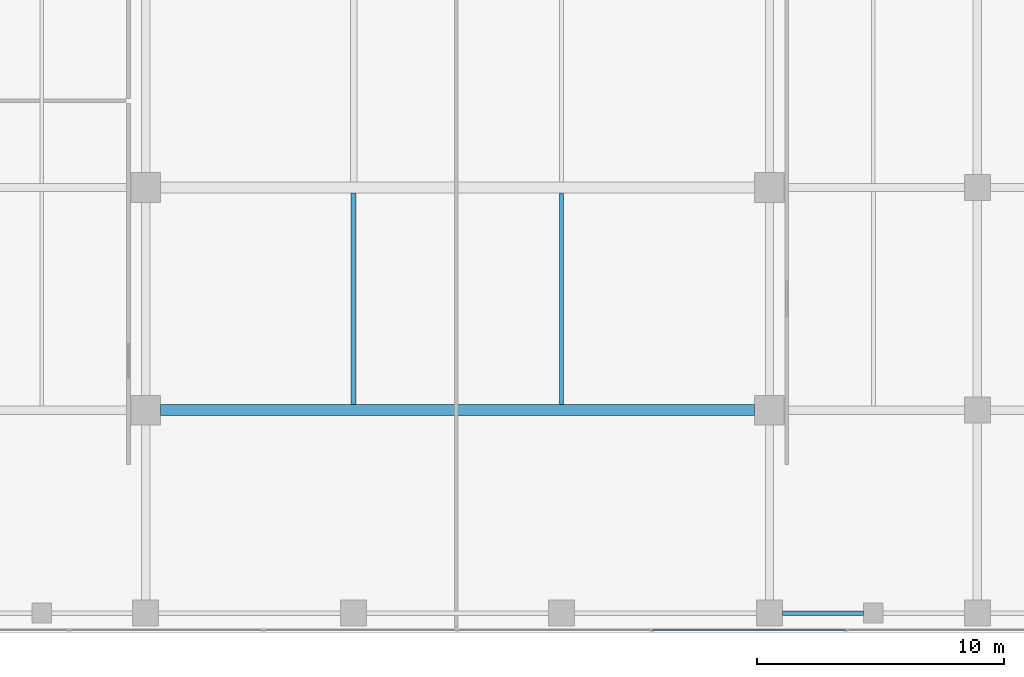
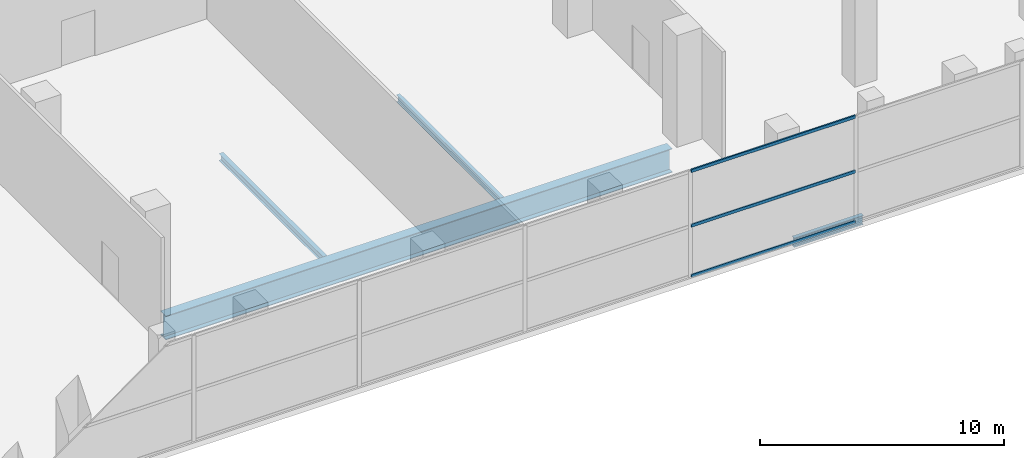
# One storey, part 14 of 40: 4 beams, 3 members, 1 element without a shape of its own.
"""IFC4 building model written with IfcOpenShell, lengths in metres."""

from ifc_helpers import new_model, si_unit, direction, frame, origin, origin_2d, place, context, subcontext, project, spatial, hollow_rectangle, i_section, extrude, material, layer, layer_set, material_profile, profile_set, type_object, element, aggregate, save


model = new_model("IFC4")

# Units and contexts
model_context = context("Model", 3, precision=1e-05, world=origin(), true_north=direction((0.0, 1.0)))
body_context = subcontext(model_context, "Body", "Model", "MODEL_VIEW")
ifc_project = project(units=[si_unit("LENGTHUNIT", "METRE"), si_unit("AREAUNIT", "SQUARE_METRE"), si_unit("VOLUMEUNIT", "CUBIC_METRE"), si_unit("PLANEANGLEUNIT", "RADIAN"), si_unit("MASSUNIT", "GRAM", prefix="KILO")], contexts=[model_context])

# Site, building, storey
site_placement = place(None, origin())
site = spatial("IfcSite", under=ifc_project, at=site_placement, CompositionType="ELEMENT")
building_placement = place(site_placement, origin())
building = spatial("IfcBuilding", under=site, at=building_placement, Name="Maruvema Waterfront Hotel and Observation Tower", CompositionType="ELEMENT")
storey_placement = place(building_placement, frame((0.0, 0.0, 10.85009765625)))
storey = spatial("IfcBuildingStorey", under=building, at=storey_placement, Name="L02", CompositionType="ELEMENT", Elevation=10.85009765625)

# Curtain wall, members
ifc_material_1 = material(Name="Anodised bronze aluminium and solar-control low-E IGU", Category="aluminium")
ifc_layer = layer(ifc_material_1, 0.159912109375, Name="Podium Waterfront Storefront Curtain Wall System CW-01")
ifc_layer_set = layer_set([ifc_layer], Name="Anodised bronze aluminium and solar-control low-E IGU")
curtain_wall_type = type_object("IfcCurtainWallType", Name="Podium Waterfront Storefront Curtain Wall System CW-01", PredefinedType="USERDEFINED", material=ifc_layer_set)
curtain_wall_placement = place(storey_placement, origin())
curtain_wall = element("IfcCurtainWall", 1, at=curtain_wall_placement, inside=storey, type_object=curtain_wall_type, Name="L02 Curtain Wall CW-L02-S", ObjectType="UNITISED CURTAIN WALL", PredefinedType="USERDEFINED")
ifc_material_2 = material(Name="Anodised architectural bronze aluminium", Category="aluminium")
ifc_material_profile_1 = material_profile(ifc_material_2, hollow_rectangle(XDim=0.070068359375, YDim=0.14990234375, WallThickness=0.00390625, at=origin_2d()), Name="ALU-T70x150")
ifc_profile_set_1 = profile_set([ifc_material_profile_1], Name="Anodised architectural bronze aluminium")
member_type = type_object("IfcMemberType", Name="Curtain Wall Horizontal Transom ALU-T70x150", PredefinedType="USERDEFINED", material=ifc_profile_set_1)
member_1_placement = place(storey_placement, frame((45.679931640625, 0.1201171875, 0.02978515625), z_axis=(1.0, 0.0, 0.0), x_axis=(0.0, 1.0, 0.0)))
member_1 = element("IfcMember", 2, at=member_1_placement, type_object=member_type, Name="CW-01 transom 6.1", ObjectType="TRANSOM", PredefinedType="USERDEFINED", context=body_context, shape_type="SweptSolid", body=[
    extrude(hollow_rectangle(XDim=0.070068359375, YDim=0.14990234375, WallThickness=0.00390625, at=origin_2d()), origin(), (0.0, 0.0, 1.0), 7.7900390625),
])
member_2_placement = place(storey_placement, frame((45.679931640625, 0.1201171875, 2.5498046875), z_axis=(1.0, 0.0, 0.0), x_axis=(0.0, 1.0, 0.0)))
member_2 = element("IfcMember", 3, at=member_2_placement, type_object=member_type, Name="CW-01 transom 6.2", ObjectType="TRANSOM", PredefinedType="USERDEFINED", context=body_context, shape_type="SweptSolid", body=[
    extrude(hollow_rectangle(XDim=0.070068359375, YDim=0.14990234375, WallThickness=0.00390625, at=origin_2d()), origin(), (0.0, 0.0, 1.0), 7.7900390625),
])
member_3_placement = place(storey_placement, frame((45.679931640625, 0.1201171875, 5.289794921875), z_axis=(1.0, 0.0, 0.0), x_axis=(0.0, 1.0, 0.0)))
member_3 = element("IfcMember", 4, at=member_3_placement, type_object=member_type, Name="CW-01 transom 6.3", ObjectType="TRANSOM", PredefinedType="USERDEFINED", context=body_context, shape_type="SweptSolid", body=[
    extrude(hollow_rectangle(XDim=0.070068359375, YDim=0.14990234375, WallThickness=0.00390625, at=origin_2d()), origin(), (0.0, 0.0, 1.0), 7.7900390625),
])
aggregate(curtain_wall, [member_1, member_2, member_3])

# Beams
ifc_material_3 = material(Name="Steel ASTM A572 Grade 50", Category="steel")
ifc_material_profile_2 = material_profile(ifc_material_3, i_section(OverallWidth=0.18994140625, OverallDepth=0.45703125, WebThickness=0.009033203125, FlangeThickness=0.014404296875, FilletRadius=0.014892578125, at=origin_2d()), Name="W460x74.0")
ifc_profile_set_2 = profile_set([ifc_material_profile_2], Name="Steel ASTM A572 Grade 50")
beam_type_1 = type_object("IfcBeamType", Name="Perimeter Spandrel Beam W460x74.0", PredefinedType="SPANDREL", material=ifc_profile_set_2)
beam_1_placement = place(storey_placement, frame((50.925048828125, 0.800048828125, -0.508544921875), z_axis=(1.0, 0.0, 0.0), x_axis=(0.0, 1.0, 0.0)))
element("IfcBeam", 5, at=beam_1_placement, inside=storey, type_object=beam_type_1, Name="L02 Floor Girder EW-07", PredefinedType="SPANDREL", context=body_context, shape_type="SweptSolid", body=[
    extrude(i_section(OverallWidth=0.18994140625, OverallDepth=0.45703125, WebThickness=0.009033203125, FlangeThickness=0.014404296875, FilletRadius=0.014892578125, at=origin_2d()), origin(), (0.0, 0.0, 1.0), 3.27490234375),
])
ifc_material_4 = material(Name="Steel ASTM A572 Grade 50", Category="steel")
ifc_material_profile_3 = material_profile(ifc_material_4, i_section(OverallWidth=0.1708984375, OverallDepth=0.35498046875, WebThickness=0.007080078125, FlangeThickness=0.01171875, FilletRadius=0.014892578125, at=origin_2d()), Name="W360x51.0")
ifc_profile_set_3 = profile_set([ifc_material_profile_3], Name="Steel ASTM A572 Grade 50")
beam_type_2 = type_object("IfcBeamType", Name="Secondary Floor Joist W360x51.0", PredefinedType="JOIST", material=ifc_profile_set_3)
beam_2_placement = place(storey_placement, frame((42.0, 9.22509765625, -0.45751953125), z_axis=(0.0, 1.0, 0.0), x_axis=(-1.0, 0.0, 0.0)))
element("IfcBeam", 6, at=beam_2_placement, inside=storey, type_object=beam_type_2, Name="L02 Secondary Floor Joist JS-10", PredefinedType="JOIST", context=body_context, shape_type="SweptSolid", body=[
    extrude(i_section(OverallWidth=0.1708984375, OverallDepth=0.35498046875, WebThickness=0.007080078125, FlangeThickness=0.01171875, FilletRadius=0.014892578125, at=origin_2d()), origin(), (0.0, 0.0, 1.0), 8.5498046875),
])
ifc_material_5 = material(Name="Steel ASTM A572 Grade 50", Category="steel")
ifc_material_profile_4 = material_profile(ifc_material_5, i_section(OverallWidth=0.202880859375, OverallDepth=0.346923828125, WebThickness=0.0078125, FlangeThickness=0.013427734375, FilletRadius=0.014892578125, at=origin_2d()), Name="W360x64.0")
ifc_profile_set_4 = profile_set([ifc_material_profile_4], Name="Steel ASTM A572 Grade 50")
beam_type_3 = type_object("IfcBeamType", Name="Secondary Floor Joist W360x64.0", PredefinedType="JOIST", material=ifc_profile_set_4)
beam_3_placement = place(storey_placement, frame((33.60009765625, 9.22509765625, -0.45361328125), z_axis=(0.0, 1.0, 0.0), x_axis=(-1.0, 0.0, 0.0)))
element("IfcBeam", 7, at=beam_3_placement, inside=storey, type_object=beam_type_3, Name="L02 Secondary Floor Joist JS-09", PredefinedType="JOIST", context=body_context, shape_type="SweptSolid", body=[
    extrude(i_section(OverallWidth=0.202880859375, OverallDepth=0.346923828125, WebThickness=0.0078125, FlangeThickness=0.013427734375, FilletRadius=0.014892578125, at=origin_2d()), origin(), (0.0, 0.0, 1.0), 8.5498046875),
])
ifc_material_6 = material(Name="Steel ABNT NBR 7007 AR 415 (ASTM A572 Grade 50)", Category="steel")
ifc_material_profile_5 = material_profile(ifc_material_6, i_section(OverallWidth=0.449951171875, OverallDepth=1.199951171875, WebThickness=0.01904296875, FlangeThickness=0.031982421875, at=origin_2d()), Name="VS1200x366")
ifc_profile_set_5 = profile_set([ifc_material_profile_5], Name="Steel ABNT NBR 7007 AR 415 (ASTM A572 Grade 50)")
beam_type_4 = type_object("IfcBeamType", Name="Upper Setback Transfer Girder VS1200x366", PredefinedType="USERDEFINED", material=ifc_profile_set_5)
beam_4_placement = place(storey_placement, frame((25.800048828125, 9.0, -0.880126953125), z_axis=(1.0, 0.0, 0.0), x_axis=(0.0, 1.0, 0.0)))
element("IfcBeam", 8, at=beam_4_placement, inside=storey, type_object=beam_type_4, Name="L02 Floor Girder EW-12", ObjectType="TRANSFER GIRDER", PredefinedType="USERDEFINED", context=body_context, shape_type="SweptSolid", body=[
    extrude(i_section(OverallWidth=0.449951171875, OverallDepth=1.199951171875, WebThickness=0.01904296875, FlangeThickness=0.031982421875, at=origin_2d()), origin(), (0.0, 0.0, 1.0), 24.0),
])

save(model, "model.ifc")
